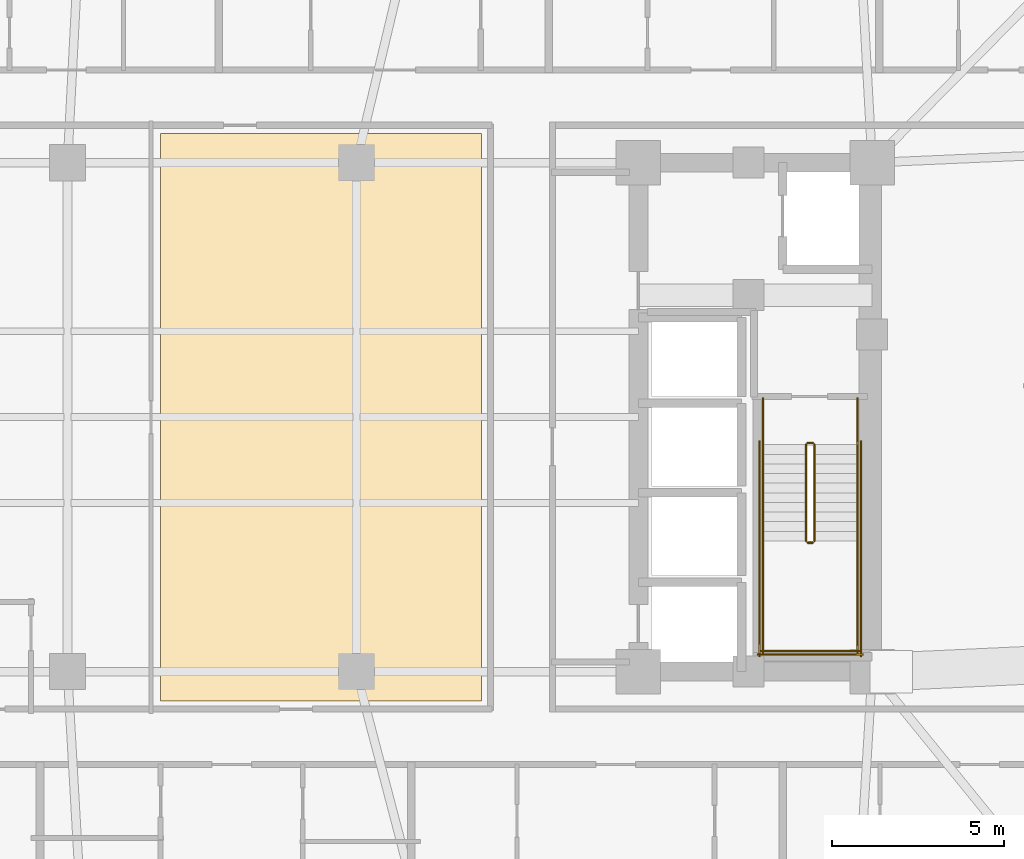
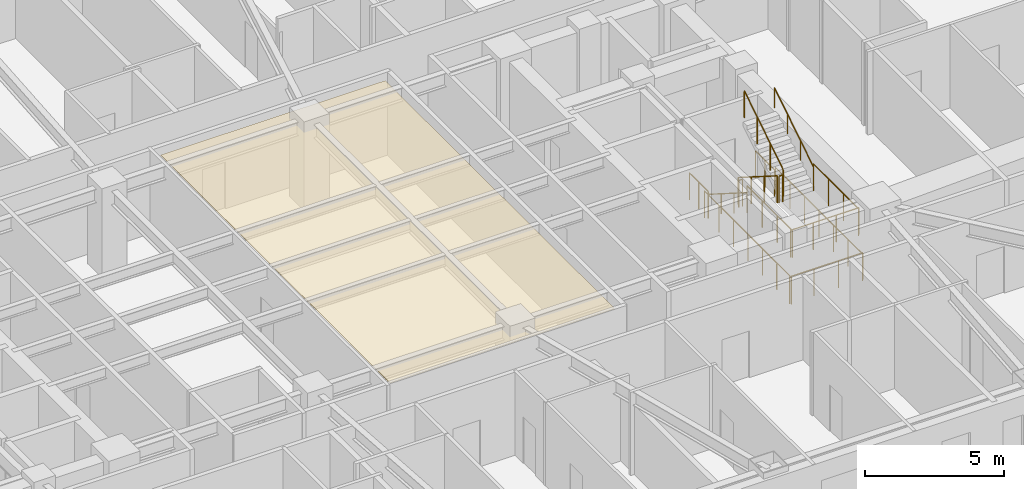
# One storey, part 11 of 12: 14 railings, 1 covering.
"""IFC4 building model written with IfcOpenShell, lengths in metres."""

from ifc_helpers import new_model, si_unit, direction, frame, origin, origin_2d, place, context, subcontext, project, spatial, polyline, circle, outline, extrude, material, layer, layer_set, type_object, element, save


model = new_model("IFC4")

# Units and contexts
model_context = context("Model", 3, precision=1e-05, world=origin(), true_north=direction((0.0, 1.0)))
body_context = subcontext(model_context, "Body", "Model", "MODEL_VIEW")
ifc_project = project(units=[si_unit("LENGTHUNIT", "METRE"), si_unit("AREAUNIT", "SQUARE_METRE"), si_unit("VOLUMEUNIT", "CUBIC_METRE"), si_unit("PLANEANGLEUNIT", "RADIAN"), si_unit("MASSUNIT", "GRAM", prefix="KILO")], contexts=[model_context])

# Site, building, storey
site_placement = place(None, origin())
site = spatial("IfcSite", under=ifc_project, at=site_placement, CompositionType="ELEMENT")
building_placement = place(site_placement, origin())
building = spatial("IfcBuilding", under=site, at=building_placement, Name="Voryun Gate Residences", CompositionType="ELEMENT")
storey_placement = place(building_placement, frame((0.0, 0.0, 101.39990234375)))
storey = spatial("IfcBuildingStorey", under=building, at=storey_placement, Name="L24", CompositionType="ELEMENT", Elevation=101.39990234375)

# Covering
ifc_material_1 = material(Name="Gypsum acoustic ceiling")
ifc_layer = layer(ifc_material_1, 0.02490234375, Name="COV_CEILING_ACOUSTIC")
ifc_layer_set = layer_set([ifc_layer], Name="Gypsum acoustic ceiling")
covering_type = type_object("IfcCoveringType", Name="COV_CEILING_ACOUSTIC", PredefinedType="CEILING", material=ifc_layer_set)
covering_placement = place(storey_placement, frame((0.0, 0.0, 3.400146484375)))
element("IfcCovering", 1, at=covering_placement, inside=storey, type_object=covering_type, Name="Acoustic ceiling CLG-L24-01", PredefinedType="CEILING", context=body_context, shape_type="SweptSolid", body=[
    extrude(outline(polyline([(-1.492919921875, 8.25), (7.840087890625, 8.25), (7.840087890625, -8.25), (-1.492919921875, -8.25), (-1.492919921875, 8.25)])), origin(), (0.0, 0.0, 1.0), 0.02490234375),
])

# Railings
ifc_material_2 = material(Name="Painted steel", Category="steel")
railing_type_1 = type_object("IfcRailingType", Name="RAIL_STAIR_GUARD_1200", PredefinedType="GUARDRAIL", material=ifc_material_2)
railing_1_placement = place(storey_placement, frame((17.27490234375, -0.800048828125, 0.177490234375)))
element("IfcRailing", 2, at=railing_1_placement, inside=storey, type_object=railing_type_1, Name="L24 ST-E1 stair guard 1", PredefinedType="GUARDRAIL", context=body_context, shape_type="SweptSolid", body=[
    extrude(circle(Radius=0.02392578125, at=origin_2d()), frame((0.0, 0.0, 1.17578125), z_axis=(0.0, -0.844908973607, 0.534910110503), x_axis=(1.0, 0.0, 0.0)), (0.0, 0.0, 1.0), 3.31396484375),
    extrude(circle(Radius=0.02099609375, at=origin_2d()), origin(), (0.0, 0.0, 1.0), 1.15185546875),
    extrude(circle(Radius=0.02099609375, at=origin_2d()), frame((0.0, -0.933349609375, 0.5908203125)), (0.0, 0.0, 1.0), 1.15185546875),
    extrude(circle(Radius=0.02099609375, at=origin_2d()), frame((0.0, -1.86669921875, 1.181884765625)), (0.0, 0.0, 1.0), 1.15185546875),
    extrude(circle(Radius=0.02099609375, at=origin_2d()), frame((0.0, -2.800048828125, 1.772705078125)), (0.0, 0.0, 1.0), 1.15185546875),
])
railing_2_placement = place(storey_placement, frame((17.324951171875, -3.64990234375, 1.9501953125)))
element("IfcRailing", 3, at=railing_2_placement, inside=storey, type_object=railing_type_1, Name="L24 ST-E1 stair guard 2", PredefinedType="GUARDRAIL", context=body_context, shape_type="SweptSolid", body=[
    extrude(circle(Radius=0.02392578125, at=origin_2d()), frame((0.0, 0.0, 1.17578125), z_axis=(1.0, 0.0, 0.0), x_axis=(0.0, 1.0, 0.0)), (0.0, 0.0, 1.0), 0.150146484375),
    extrude(circle(Radius=0.02099609375, at=origin_2d()), origin(), (0.0, 0.0, 1.0), 1.15185546875),
    extrude(circle(Radius=0.02099609375, at=origin_2d()), frame((0.150146484375, 0.0, 0.0)), (0.0, 0.0, 1.0), 1.15185546875),
])
for number, where, name in (
    (4, (16.02490234375, -3.60009765625, 1.9501953125), "L24 ST-E1 stair guard 3"),
    (5, (18.77490234375, -3.60009765625, 1.9501953125), "L24 ST-E1 stair guard 4"),
):
    element("IfcRailing", number, at=place(storey_placement, frame(where)), inside=storey, type_object=railing_type_1, Name=name, PredefinedType="GUARDRAIL", context=body_context, shape_type="SweptSolid", body=[
        extrude(circle(Radius=0.02392578125, at=origin_2d()), frame((0.0, 0.0, 1.17578125), z_axis=(0.0, -1.0, 0.0), x_axis=(1.0, 0.0, 0.0)), (0.0, 0.0, 1.0), 3.25),
        extrude(circle(Radius=0.02099609375, at=origin_2d()), origin(), (0.0, 0.0, 1.0), 1.15185546875),
        extrude(circle(Radius=0.02099609375, at=origin_2d()), frame((0.0, -1.083251953125, 0.0)), (0.0, 0.0, 1.0), 1.15185546875),
        extrude(circle(Radius=0.02099609375, at=origin_2d()), frame((0.0, -2.166748046875, 0.0)), (0.0, 0.0, 1.0), 1.15185546875),
        extrude(circle(Radius=0.02099609375, at=origin_2d()), frame((0.0, -3.25, 0.0)), (0.0, 0.0, 1.0), 1.15185546875),
    ])
railing_3_placement = place(storey_placement, frame((15.97509765625, -6.800048828125, 1.9501953125)))
element("IfcRailing", 6, at=railing_3_placement, inside=storey, type_object=railing_type_1, Name="L24 ST-E1 stair guard 5", PredefinedType="GUARDRAIL", context=body_context, shape_type="SweptSolid", body=[
    extrude(circle(Radius=0.02392578125, at=origin_2d()), frame((0.0, 0.0, 1.17578125), z_axis=(1.0, 0.0, 0.0), x_axis=(0.0, 1.0, 0.0)), (0.0, 0.0, 1.0), 2.849853515625),
    extrude(circle(Radius=0.02099609375, at=origin_2d()), origin(), (0.0, 0.0, 1.0), 1.15185546875),
    extrude(circle(Radius=0.02099609375, at=origin_2d()), frame((0.949951171875, 0.0, 0.0)), (0.0, 0.0, 1.0), 1.15185546875),
    extrude(circle(Radius=0.02099609375, at=origin_2d()), frame((1.89990234375, 0.0, 0.0)), (0.0, 0.0, 1.0), 1.15185546875),
    extrude(circle(Radius=0.02099609375, at=origin_2d()), frame((2.849853515625, 0.0, 0.0)), (0.0, 0.0, 1.0), 1.15185546875),
])
railing_4_placement = place(storey_placement, frame((17.52490234375, -3.60009765625, 2.12744140625)))
element("IfcRailing", 7, at=railing_4_placement, inside=storey, type_object=railing_type_1, Name="L24 ST-E1 stair guard 6", PredefinedType="GUARDRAIL", context=body_context, shape_type="SweptSolid", body=[
    extrude(circle(Radius=0.02392578125, at=origin_2d()), frame((0.0, 0.0, 1.17578125), z_axis=(0.0, 0.844908973607, 0.534910110503), x_axis=(-1.0, 0.0, 0.0)), (0.0, 0.0, 1.0), 3.31396484375),
    extrude(circle(Radius=0.02099609375, at=origin_2d()), origin(), (0.0, 0.0, 1.0), 1.15185546875),
    extrude(circle(Radius=0.02099609375, at=origin_2d()), frame((0.0, 0.933349609375, 0.5908203125)), (0.0, 0.0, 1.0), 1.15185546875),
    extrude(circle(Radius=0.02099609375, at=origin_2d()), frame((0.0, 1.86669921875, 1.181884765625)), (0.0, 0.0, 1.0), 1.15185546875),
    extrude(circle(Radius=0.02099609375, at=origin_2d()), frame((0.0, 2.800048828125, 1.772705078125)), (0.0, 0.0, 1.0), 1.15185546875),
])
railing_5_placement = place(storey_placement, frame((17.324951171875, -0.75, 0.0)))
element("IfcRailing", 8, at=railing_5_placement, inside=storey, type_object=railing_type_1, Name="L24 ST-E1 stair guard 7", PredefinedType="GUARDRAIL", context=body_context, shape_type="SweptSolid", body=[
    extrude(circle(Radius=0.02392578125, at=origin_2d()), frame((0.0, 0.0, 1.17578125), z_axis=(1.0, 0.0, 0.0), x_axis=(0.0, 1.0, 0.0)), (0.0, 0.0, 1.0), 0.150146484375),
    extrude(circle(Radius=0.02099609375, at=origin_2d()), origin(), (0.0, 0.0, 1.0), 1.15185546875),
    extrude(circle(Radius=0.02099609375, at=origin_2d()), frame((0.150146484375, 0.0, 0.0)), (0.0, 0.0, 1.0), 1.15185546875),
])
for number, where, name in (
    (9, (16.02490234375, 0.550048828125, 0.0), "L24 ST-E1 stair guard 8"),
    (10, (18.77490234375, 0.550048828125, 0.0), "L24 ST-E1 stair guard 9"),
):
    element("IfcRailing", number, at=place(storey_placement, frame(where)), inside=storey, type_object=railing_type_1, Name=name, PredefinedType="GUARDRAIL", context=body_context, shape_type="SweptSolid", body=[
        extrude(circle(Radius=0.02392578125, at=origin_2d()), frame((0.0, 0.0, 1.17578125), z_axis=(0.0, -1.0, 0.0), x_axis=(1.0, 0.0, 0.0)), (0.0, 0.0, 1.0), 1.35009765625),
        extrude(circle(Radius=0.02099609375, at=origin_2d()), origin(), (0.0, 0.0, 1.0), 1.15185546875),
        extrude(circle(Radius=0.02099609375, at=origin_2d()), frame((0.0, -0.675048828125, 0.0)), (0.0, 0.0, 1.0), 1.15185546875),
        extrude(circle(Radius=0.02099609375, at=origin_2d()), frame((0.0, -1.35009765625, 0.0)), (0.0, 0.0, 1.0), 1.15185546875),
    ])
for number, where, name in (
    (11, (15.925048828125, -0.699951171875, 0.0), "L24 ST-E1 stair guard 10"),
    (12, (18.875, -0.699951171875, 0.0), "L24 ST-E1 stair guard 11"),
):
    element("IfcRailing", number, at=place(storey_placement, frame(where)), inside=storey, type_object=railing_type_1, Name=name, PredefinedType="GUARDRAIL", context=body_context, shape_type="SweptSolid", body=[
        extrude(circle(Radius=0.02392578125, at=origin_2d()), frame((0.0, 0.0, 1.17578125), z_axis=(0.0, -1.0, 0.0), x_axis=(1.0, 0.0, 0.0)), (0.0, 0.0, 1.0), 6.25),
        extrude(circle(Radius=0.02099609375, at=origin_2d()), origin(), (0.0, 0.0, 1.0), 1.15185546875),
        extrude(circle(Radius=0.02099609375, at=origin_2d()), frame((0.0, -1.041748046875, 0.0)), (0.0, 0.0, 1.0), 1.15185546875),
        extrude(circle(Radius=0.02099609375, at=origin_2d()), frame((0.0, -2.083251953125, 0.0)), (0.0, 0.0, 1.0), 1.15185546875),
        extrude(circle(Radius=0.02099609375, at=origin_2d()), frame((0.0, -3.125, 0.0)), (0.0, 0.0, 1.0), 1.15185546875),
        extrude(circle(Radius=0.02099609375, at=origin_2d()), frame((0.0, -4.166748046875, 0.0)), (0.0, 0.0, 1.0), 1.15185546875),
        extrude(circle(Radius=0.02099609375, at=origin_2d()), frame((0.0, -5.208251953125, 0.0)), (0.0, 0.0, 1.0), 1.15185546875),
        extrude(circle(Radius=0.02099609375, at=origin_2d()), frame((0.0, -6.25, 0.0)), (0.0, 0.0, 1.0), 1.15185546875),
    ])
railing_6_placement = place(storey_placement, frame((15.875, -6.89990234375, 0.0)))
element("IfcRailing", 13, at=railing_6_placement, inside=storey, type_object=railing_type_1, Name="L24 ST-E1 stair guard 12", PredefinedType="GUARDRAIL", context=body_context, shape_type="SweptSolid", body=[
    extrude(circle(Radius=0.02392578125, at=origin_2d()), frame((0.0, 0.0, 1.17578125), z_axis=(1.0, 0.0, 0.0), x_axis=(0.0, 1.0, 0.0)), (0.0, 0.0, 1.0), 3.050048828125),
    extrude(circle(Radius=0.02099609375, at=origin_2d()), origin(), (0.0, 0.0, 1.0), 1.15185546875),
    extrude(circle(Radius=0.02099609375, at=origin_2d()), frame((1.0166015625, 0.0, 0.0)), (0.0, 0.0, 1.0), 1.15185546875),
    extrude(circle(Radius=0.02099609375, at=origin_2d()), frame((2.033447265625, 0.0, 0.0)), (0.0, 0.0, 1.0), 1.15185546875),
    extrude(circle(Radius=0.02099609375, at=origin_2d()), frame((3.050048828125, 0.0, 0.0)), (0.0, 0.0, 1.0), 1.15185546875),
])
ifc_material_3 = material(Name="Painted steel", Category="steel")
railing_type_2 = type_object("IfcRailingType", Name="RAIL_STAIR_HANDRAIL_900", PredefinedType="HANDRAIL", material=ifc_material_3)
railing_7_placement = place(storey_placement, frame((16.02490234375, -0.800048828125, 0.177490234375)))
element("IfcRailing", 14, at=railing_7_placement, inside=storey, type_object=railing_type_2, Name="L24 ST-E1 stair handrail 1", PredefinedType="HANDRAIL", context=body_context, shape_type="SweptSolid", body=[
    extrude(circle(Radius=0.02392578125, at=origin_2d()), frame((0.0, 0.0, 0.8759765625), z_axis=(0.0, -0.844908973607, 0.534910110503), x_axis=(1.0, 0.0, 0.0)), (0.0, 0.0, 1.0), 3.31396484375),
    extrude(circle(Radius=0.02099609375, at=origin_2d()), origin(), (0.0, 0.0, 1.0), 0.851806640625),
    extrude(circle(Radius=0.02099609375, at=origin_2d()), frame((0.0, -0.933349609375, 0.5908203125)), (0.0, 0.0, 1.0), 0.851806640625),
    extrude(circle(Radius=0.02099609375, at=origin_2d()), frame((0.0, -1.86669921875, 1.181884765625)), (0.0, 0.0, 1.0), 0.851806640625),
    extrude(circle(Radius=0.02099609375, at=origin_2d()), frame((0.0, -2.800048828125, 1.772705078125)), (0.0, 0.0, 1.0), 0.851806640625),
])
railing_8_placement = place(storey_placement, frame((18.77490234375, -3.60009765625, 2.12744140625)))
element("IfcRailing", 15, at=railing_8_placement, inside=storey, type_object=railing_type_2, Name="L24 ST-E1 stair handrail 2", PredefinedType="HANDRAIL", context=body_context, shape_type="SweptSolid", body=[
    extrude(circle(Radius=0.02392578125, at=origin_2d()), frame((0.0, 0.0, 0.8759765625), z_axis=(0.0, 0.844908973607, 0.534910110503), x_axis=(-1.0, 0.0, 0.0)), (0.0, 0.0, 1.0), 3.31396484375),
    extrude(circle(Radius=0.02099609375, at=origin_2d()), origin(), (0.0, 0.0, 1.0), 0.851806640625),
    extrude(circle(Radius=0.02099609375, at=origin_2d()), frame((0.0, 0.933349609375, 0.5908203125)), (0.0, 0.0, 1.0), 0.851806640625),
    extrude(circle(Radius=0.02099609375, at=origin_2d()), frame((0.0, 1.86669921875, 1.181884765625)), (0.0, 0.0, 1.0), 0.851806640625),
    extrude(circle(Radius=0.02099609375, at=origin_2d()), frame((0.0, 2.800048828125, 1.772705078125)), (0.0, 0.0, 1.0), 0.851806640625),
])

save(model, "model.ifc")
